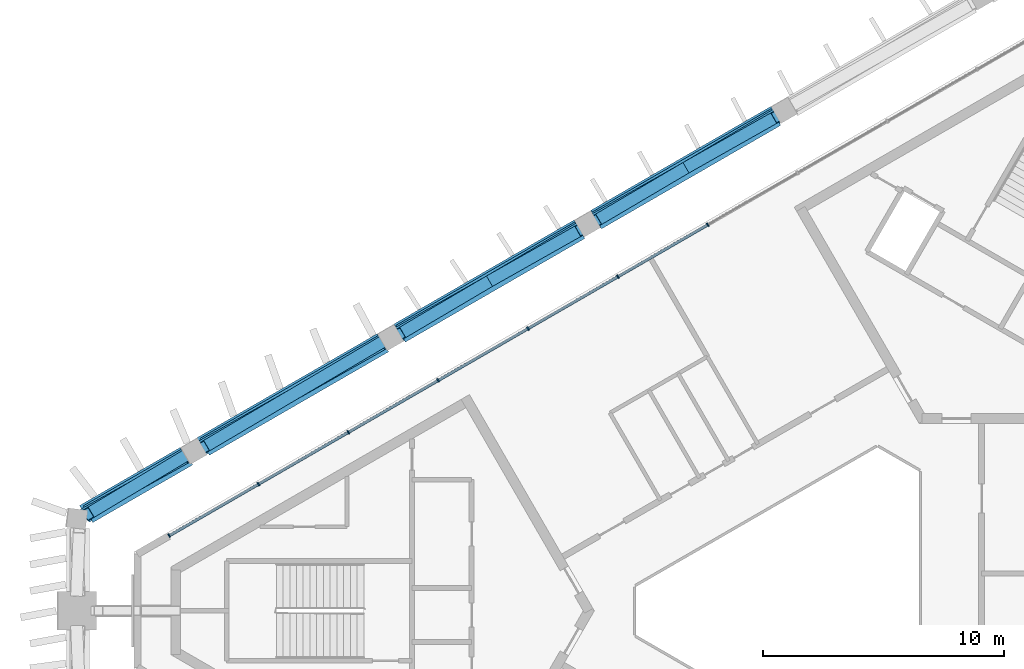
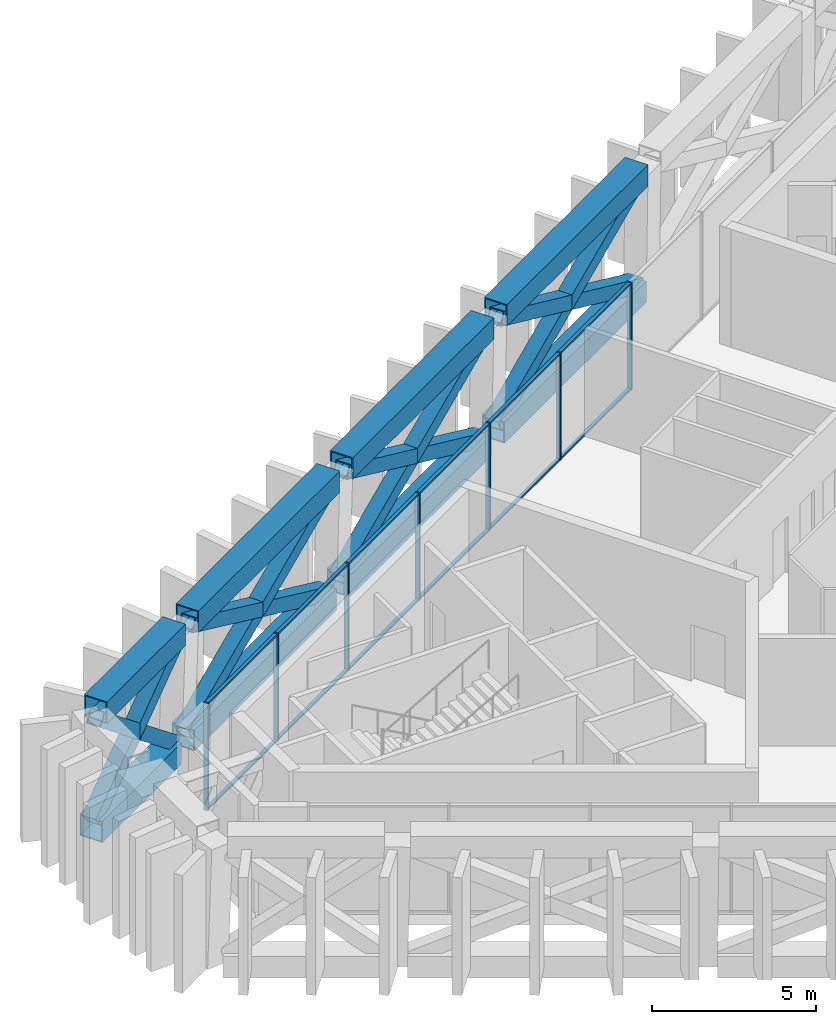
# One storey, part 5 of 12: 35 members, 1 element without a shape of its own.
"""IFC4 building model written with IfcOpenShell, lengths in metres."""

from ifc_helpers import new_model, si_unit, direction, frame, origin, origin_2d, place, context, subcontext, project, spatial, rectangle, hollow_rectangle, extrude, material, layer, layer_set, material_profile, profile_set, type_object, element, aggregate, save


model = new_model("IFC4")

# Units and contexts
model_context = context("Model", 3, precision=1e-05, world=origin(), true_north=direction((0.0, 1.0)))
body_context = subcontext(model_context, "Body", "Model", "MODEL_VIEW")
ifc_project = project(units=[si_unit("LENGTHUNIT", "METRE"), si_unit("AREAUNIT", "SQUARE_METRE"), si_unit("VOLUMEUNIT", "CUBIC_METRE"), si_unit("PLANEANGLEUNIT", "RADIAN"), si_unit("MASSUNIT", "GRAM", prefix="KILO")], contexts=[model_context])

# Site, building, storey
site_placement = place(None, origin())
site = spatial("IfcSite", under=ifc_project, at=site_placement, CompositionType="ELEMENT")
building_placement = place(site_placement, origin())
building = spatial("IfcBuilding", under=site, at=building_placement, Name="Jabali Bay Hotel Tower and Convention Centre", CompositionType="ELEMENT")
storey_placement = place(building_placement, frame((0.0, 0.0, 300.39990234375)))
storey = spatial("IfcBuildingStorey", under=building, at=storey_placement, Name="L74", CompositionType="ELEMENT", Elevation=300.39990234375)

# Members
ifc_material_1 = material(Name="Steel Q420GJC", Category="steel")
ifc_material_profile_1 = material_profile(ifc_material_1, hollow_rectangle(XDim=0.5, YDim=0.5, WallThickness=0.030029296875, at=origin_2d()), Name="Belt brace 500x500x30")
ifc_profile_set_1 = profile_set([ifc_material_profile_1], Name="Steel Q420GJC")
member_type_1 = type_object("IfcMemberType", Name="Belt brace 500x500x30", PredefinedType="BRACE", material=ifc_profile_set_1)
member_1_placement = place(storey_placement, frame((73.549560546875, 100.625, 0.186279296875), z_axis=(-0.780918679653, -0.460675538069, 0.421834166936), x_axis=(0.508094468676, -0.861301347323, 0.0)))
element("IfcMember", 1, at=member_1_placement, inside=storey, type_object=member_type_1, Name="Belt brace T6 F1.2-F1.3 x1", PredefinedType="BRACE", context=body_context, shape_type="SweptSolid", body=[
    extrude(hollow_rectangle(XDim=0.5, YDim=0.5, WallThickness=0.030029296875, at=origin_2d()), origin(), (0.0, 0.0, 1.0), 9.5478515625),
])
member_2_placement = place(storey_placement, frame((66.052734375, 96.296875, 0.187255859375), z_axis=(0.788746260354, 0.445501518858, 0.423565500806), x_axis=(-0.491796551535, 0.870710142297, 0.0)))
element("IfcMember", 2, at=member_2_placement, inside=storey, type_object=member_type_1, Name="Belt brace T6 F1.2-F1.3 x2", PredefinedType="BRACE", context=body_context, shape_type="SweptSolid", body=[
    extrude(hollow_rectangle(XDim=0.5, YDim=0.5, WallThickness=0.030029296875, at=origin_2d()), origin(), (0.0, 0.0, 1.0), 9.504638671875),
])
member_3_placement = place(storey_placement, frame((65.360107421875, 95.89697265625, 0.187255859375), z_axis=(-0.78019071297, -0.460321253939, 0.42356439247), x_axis=(0.50815601337, -0.861265038229, 0.0)))
element("IfcMember", 3, at=member_3_placement, inside=storey, type_object=member_type_1, Name="Belt brace T6 F1.3-F1.4 x1", PredefinedType="BRACE", context=body_context, shape_type="SweptSolid", body=[
    extrude(hollow_rectangle(XDim=0.5, YDim=0.5, WallThickness=0.030029296875, at=origin_2d()), origin(), (0.0, 0.0, 1.0), 9.5048828125),
])
member_4_placement = place(storey_placement, frame((57.863525390625, 91.56884765625, 0.186279296875), z_axis=(0.789425781404, 0.445931465467, 0.421843648478), x_axis=(-0.491835130566, 0.87068835087, 0.0)))
element("IfcMember", 4, at=member_4_placement, inside=storey, type_object=member_type_1, Name="Belt brace T6 F1.3-F1.4 x2", PredefinedType="BRACE", context=body_context, shape_type="SweptSolid", body=[
    extrude(hollow_rectangle(XDim=0.5, YDim=0.5, WallThickness=0.030029296875, at=origin_2d()), origin(), (0.0, 0.0, 1.0), 9.547607421875),
])
member_5_placement = place(storey_placement, frame((57.170654296875, 91.168701171875, 0.18798828125), z_axis=(-0.779461615758, -0.459930606789, 0.425327434454), x_axis=(0.508188410768, -0.86124592258, 0.0)))
element("IfcMember", 5, at=member_5_placement, inside=storey, type_object=member_type_1, Name="Belt brace T6 F1.4-F1.5 x1", PredefinedType="BRACE", context=body_context, shape_type="SweptSolid", body=[
    extrude(hollow_rectangle(XDim=0.5, YDim=0.5, WallThickness=0.030029296875, at=origin_2d()), origin(), (0.0, 0.0, 1.0), 9.46142578125),
])
member_6_placement = place(storey_placement, frame((49.674072265625, 86.840576171875, 0.185302734375), z_axis=(0.790089140846, 0.44637401894, 0.420130199738), x_axis=(-0.491891798651, 0.870656337724, 0.0)))
element("IfcMember", 6, at=member_6_placement, inside=storey, type_object=member_type_1, Name="Belt brace T6 F1.4-F1.5 x2", PredefinedType="BRACE", context=body_context, shape_type="SweptSolid", body=[
    extrude(hollow_rectangle(XDim=0.5, YDim=0.5, WallThickness=0.030029296875, at=origin_2d()), origin(), (0.0, 0.0, 1.0), 9.591064453125),
])
member_7_placement = place(storey_placement, frame((48.982666015625, 86.438232421875, 0.3203125), z_axis=(-0.669759415967, -0.40123892073, 0.624843703029), x_axis=(0.51391481489, -0.857841222509, 0.0)))
element("IfcMember", 7, at=member_7_placement, inside=storey, type_object=member_type_1, Name="Belt brace T6 F1.5-V3 x1", PredefinedType="BRACE", context=body_context, shape_type="SweptSolid", body=[
    extrude(hollow_rectangle(XDim=0.5, YDim=0.5, WallThickness=0.030029296875, at=origin_2d()), origin(), (0.0, 0.0, 1.0), 6.01708984375),
])
member_8_placement = place(storey_placement, frame((44.803955078125, 84.026123046875, 0.307861328125), z_axis=(0.692500702198, 0.385566139332, 0.609738902856), x_axis=(-0.486455968619, 0.873705093607, 0.0)))
element("IfcMember", 8, at=member_8_placement, inside=storey, type_object=member_type_1, Name="Belt brace T6 F1.5-V3 x2", PredefinedType="BRACE", context=body_context, shape_type="SweptSolid", body=[
    extrude(hollow_rectangle(XDim=0.5, YDim=0.5, WallThickness=0.030029296875, at=origin_2d()), origin(), (0.0, 0.0, 1.0), 6.20654296875),
])
ifc_material_profile_2 = material_profile(ifc_material_1, hollow_rectangle(XDim=0.800048828125, YDim=0.800048828125, WallThickness=0.0400390625, at=origin_2d()), Name="Belt chord 800x800x40")
ifc_profile_set_2 = profile_set([ifc_material_profile_2], Name="Steel Q420GJC")
member_type_2 = type_object("IfcMemberType", Name="Belt chord 800x800x40", PredefinedType="CHORD", material=ifc_profile_set_2)
for number, where, z_axis, x_axis, name in (
    (9, (73.547607421875, 100.62841796875, 0.0), (-0.866026837124, -0.499997517375, 0.0), (0.499997517375, -0.866026837124, 0.0), "Belt chord T6 F1.2-F1.3"),
    (10, (65.358154296875, 95.900146484375, 0.0), (-0.866026837124, -0.499997517375, 0.0), (0.499997517375, -0.866026837124, 0.0), "Belt chord T6 F1.3-F1.4"),
    (11, (57.168701171875, 91.172119140625, 0.0), (-0.866026837124, -0.499997517375, 0.0), (0.499997517375, -0.866026837124, 0.0), "Belt chord T6 F1.4-F1.5"),
):
    element("IfcMember", number, at=place(storey_placement, frame(where, z_axis=z_axis, x_axis=x_axis)), inside=storey, type_object=member_type_2, Name=name, PredefinedType="CHORD", context=body_context, shape_type="SweptSolid", body=[
        extrude(hollow_rectangle(XDim=0.800048828125, YDim=0.800048828125, WallThickness=0.0400390625, at=origin_2d()), origin(), (0.0, 0.0, 1.0), 8.65625),
    ])
member_9_placement = place(storey_placement, frame((48.979248046875, 86.44384765625, 0.0), z_axis=(-0.866033069333, -0.499986722646, 0.0), x_axis=(0.499986722646, -0.866033069333, 0.0)))
element("IfcMember", 12, at=member_9_placement, inside=storey, type_object=member_type_2, Name="Belt chord T6 F1.5-V3", PredefinedType="CHORD", context=body_context, shape_type="SweptSolid", body=[
    extrude(hollow_rectangle(XDim=0.800048828125, YDim=0.800048828125, WallThickness=0.0400390625, at=origin_2d()), origin(), (0.0, 0.0, 1.0), 4.824951171875),
])
for number, where, z_axis, x_axis, name in (
    (13, (73.55126953125, 100.528076171875, 4.400146484375), (-0.866021718376, -0.500006383261, 0.0), (0.500006383261, -0.866021718376, 0.0), "Belt chord T6 F1.2-F1.3"),
    (14, (65.402587890625, 95.8232421875, 4.400146484375), (-0.866028807769, -0.499994104079, 0.0), (0.499994104079, -0.866028807769, 0.0), "Belt chord T6 F1.3-F1.4"),
    (15, (57.253662109375, 91.11865234375, 4.400146484375), (-0.866021718376, -0.500006383261, 0.0), (0.500006383261, -0.866021718376, 0.0), "Belt chord T6 F1.4-F1.5"),
):
    element("IfcMember", number, at=place(storey_placement, frame(where, z_axis=z_axis, x_axis=x_axis)), inside=storey, type_object=member_type_2, Name=name, PredefinedType="CHORD", context=body_context, shape_type="SweptSolid", body=[
        extrude(hollow_rectangle(XDim=0.800048828125, YDim=0.800048828125, WallThickness=0.0400390625, at=origin_2d()), origin(), (0.0, 0.0, 1.0), 8.609375),
    ])
member_10_placement = place(storey_placement, frame((49.10498046875, 86.413818359375, 4.400146484375), z_axis=(-0.86602690036, -0.499997407846, 0.0), x_axis=(0.499997407846, -0.86602690036, 0.0)))
element("IfcMember", 16, at=member_10_placement, inside=storey, type_object=member_type_2, Name="Belt chord T6 F1.5-V3", PredefinedType="CHORD", context=body_context, shape_type="SweptSolid", body=[
    extrude(hollow_rectangle(XDim=0.800048828125, YDim=0.800048828125, WallThickness=0.0400390625, at=origin_2d()), origin(), (0.0, 0.0, 1.0), 4.791015625),
])

# Curtain wall, members
ifc_material_2 = material(Name="Aluminium and glass", Category="aluminium")
ifc_layer = layer(ifc_material_2, 0.159912109375)
ifc_layer_set = layer_set([ifc_layer], Name="Aluminium and glass")
curtain_wall_type = type_object("IfcCurtainWallType", Name="CW3 curtain wall", PredefinedType="NOTDEFINED", material=ifc_layer_set)
curtain_wall_placement = place(storey_placement, origin())
curtain_wall = element("IfcCurtainWall", 17, at=curtain_wall_placement, inside=storey, type_object=curtain_wall_type, Name="CW3 curtain wall north-west face L74", PredefinedType="NOTDEFINED")
ifc_material_3 = material(Name="Aluminium", Category="aluminium")
ifc_material_profile_3 = material_profile(ifc_material_3, rectangle(XDim=0.159912109375, YDim=0.06005859375, at=origin_2d()), Name="CW3 mullion 60 x 160")
ifc_profile_set_3 = profile_set([ifc_material_profile_3], Name="Aluminium")
member_type_3 = type_object("IfcMemberType", Name="CW3 mullion 60 x 160", PredefinedType="MULLION", material=ifc_profile_set_3)
member_11_placement = place(storey_placement, frame((48.329345703125, 83.124267578125, 0.0), z_axis=(0.0, 0.0, 1.0), x_axis=(-0.500000004882, 0.866025400966, 0.0)))
member_11 = element("IfcMember", 18, at=member_11_placement, type_object=member_type_3, Name="CW3 mullion 1", PredefinedType="MULLION", context=body_context, shape_type="SweptSolid", body=[
    extrude(rectangle(XDim=0.159912109375, YDim=0.06005859375, at=origin_2d()), origin(), (0.0, 0.0, 1.0), 4.0),
])
member_12_placement = place(storey_placement, frame((52.03857421875, 85.265625, 0.0), z_axis=(0.0, 0.0, 1.0), x_axis=(-0.500000004882, 0.866025400966, 0.0)))
member_12 = element("IfcMember", 19, at=member_12_placement, type_object=member_type_3, Name="CW3 mullion 2", PredefinedType="MULLION", context=body_context, shape_type="SweptSolid", body=[
    extrude(rectangle(XDim=0.159912109375, YDim=0.06005859375, at=origin_2d()), origin(), (0.0, 0.0, 1.0), 4.0),
])
member_13_placement = place(storey_placement, frame((55.77392578125, 87.42236328125, 0.0), z_axis=(0.0, 0.0, 1.0), x_axis=(-0.500000004882, 0.866025400966, 0.0)))
member_13 = element("IfcMember", 20, at=member_13_placement, type_object=member_type_3, Name="CW3 mullion 3", PredefinedType="MULLION", context=body_context, shape_type="SweptSolid", body=[
    extrude(rectangle(XDim=0.159912109375, YDim=0.06005859375, at=origin_2d()), origin(), (0.0, 0.0, 1.0), 4.0),
])
member_14_placement = place(storey_placement, frame((59.509033203125, 89.578857421875, 0.0), z_axis=(0.0, 0.0, 1.0), x_axis=(-0.500000004882, 0.866025400966, 0.0)))
member_14 = element("IfcMember", 21, at=member_14_placement, type_object=member_type_3, Name="CW3 mullion 4", PredefinedType="MULLION", context=body_context, shape_type="SweptSolid", body=[
    extrude(rectangle(XDim=0.159912109375, YDim=0.06005859375, at=origin_2d()), origin(), (0.0, 0.0, 1.0), 4.0),
])
member_15_placement = place(storey_placement, frame((63.244384765625, 91.7353515625, 0.0), z_axis=(0.0, 0.0, 1.0), x_axis=(-0.500000004882, 0.866025400966, 0.0)))
member_15 = element("IfcMember", 22, at=member_15_placement, type_object=member_type_3, Name="CW3 mullion 5", PredefinedType="MULLION", context=body_context, shape_type="SweptSolid", body=[
    extrude(rectangle(XDim=0.159912109375, YDim=0.06005859375, at=origin_2d()), origin(), (0.0, 0.0, 1.0), 4.0),
])
member_16_placement = place(storey_placement, frame((66.9794921875, 93.891845703125, 0.0), z_axis=(0.0, 0.0, 1.0), x_axis=(-0.500000004882, 0.866025400966, 0.0)))
member_16 = element("IfcMember", 23, at=member_16_placement, type_object=member_type_3, Name="CW3 mullion 6", PredefinedType="MULLION", context=body_context, shape_type="SweptSolid", body=[
    extrude(rectangle(XDim=0.159912109375, YDim=0.06005859375, at=origin_2d()), origin(), (0.0, 0.0, 1.0), 4.0),
])
member_17_placement = place(storey_placement, frame((70.71484375, 96.04833984375, 0.0), z_axis=(0.0, 0.0, 1.0), x_axis=(-0.500000004882, 0.866025400966, 0.0)))
member_17 = element("IfcMember", 24, at=member_17_placement, type_object=member_type_3, Name="CW3 mullion 7", PredefinedType="MULLION", context=body_context, shape_type="SweptSolid", body=[
    extrude(rectangle(XDim=0.159912109375, YDim=0.06005859375, at=origin_2d()), origin(), (0.0, 0.0, 1.0), 4.0),
])
ifc_material_profile_4 = material_profile(ifc_material_3, rectangle(XDim=0.1201171875, YDim=0.06005859375, at=origin_2d()), Name="CW3 transom 60 x 120")
ifc_profile_set_4 = profile_set([ifc_material_profile_4], Name="Aluminium")
member_type_4 = type_object("IfcMemberType", Name="CW3 transom 60 x 120", PredefinedType="USERDEFINED", material=ifc_profile_set_4)
member_18_placement = place(storey_placement, frame((48.35546875, 83.13916015625, 0.030029296875), z_axis=(0.866018069786, 0.500012702642, 0.0), x_axis=(-0.500012702642, 0.866018069786, 0.0)))
member_18 = element("IfcMember", 25, at=member_18_placement, type_object=member_type_4, Name="CW3 transom 1.1", ObjectType="TRANSOM", PredefinedType="USERDEFINED", context=body_context, shape_type="SweptSolid", body=[
    extrude(rectangle(XDim=0.1201171875, YDim=0.06005859375, at=origin_2d()), origin(), (0.0, 0.0, 1.0), 4.22314453125),
])
member_19_placement = place(storey_placement, frame((48.35546875, 83.13916015625, 3.97021484375), z_axis=(0.866018069786, 0.500012702642, 0.0), x_axis=(-0.500012702642, 0.866018069786, 0.0)))
member_19 = element("IfcMember", 26, at=member_19_placement, type_object=member_type_4, Name="CW3 transom 1.2", ObjectType="TRANSOM", PredefinedType="USERDEFINED", context=body_context, shape_type="SweptSolid", body=[
    extrude(rectangle(XDim=0.1201171875, YDim=0.06005859375, at=origin_2d()), origin(), (0.0, 0.0, 1.0), 4.22314453125),
])
member_20_placement = place(storey_placement, frame((52.064697265625, 85.28076171875, 0.030029296875), z_axis=(0.86602307118, 0.500004040168, 0.0), x_axis=(-0.500004040168, 0.86602307118, 0.0)))
member_20 = element("IfcMember", 27, at=member_20_placement, type_object=member_type_4, Name="CW3 transom 2.1", ObjectType="TRANSOM", PredefinedType="USERDEFINED", context=body_context, shape_type="SweptSolid", body=[
    extrude(rectangle(XDim=0.1201171875, YDim=0.06005859375, at=origin_2d()), origin(), (0.0, 0.0, 1.0), 4.2529296875),
])
member_21_placement = place(storey_placement, frame((52.064697265625, 85.28076171875, 3.97021484375), z_axis=(0.86602307118, 0.500004040168, 0.0), x_axis=(-0.500004040168, 0.86602307118, 0.0)))
member_21 = element("IfcMember", 28, at=member_21_placement, type_object=member_type_4, Name="CW3 transom 2.2", ObjectType="TRANSOM", PredefinedType="USERDEFINED", context=body_context, shape_type="SweptSolid", body=[
    extrude(rectangle(XDim=0.1201171875, YDim=0.06005859375, at=origin_2d()), origin(), (0.0, 0.0, 1.0), 4.2529296875),
])
member_22_placement = place(storey_placement, frame((55.7998046875, 87.437255859375, 0.030029296875), z_axis=(0.866037421778, 0.499979183647, 0.0), x_axis=(-0.499979183647, 0.866037421778, 0.0)))
member_22 = element("IfcMember", 29, at=member_22_placement, type_object=member_type_4, Name="CW3 transom 3.1", ObjectType="TRANSOM", PredefinedType="USERDEFINED", context=body_context, shape_type="SweptSolid", body=[
    extrude(rectangle(XDim=0.1201171875, YDim=0.06005859375, at=origin_2d()), origin(), (0.0, 0.0, 1.0), 4.253173828125),
])
member_23_placement = place(storey_placement, frame((55.7998046875, 87.437255859375, 3.97021484375), z_axis=(0.866037421778, 0.499979183647, 0.0), x_axis=(-0.499979183647, 0.866037421778, 0.0)))
member_23 = element("IfcMember", 30, at=member_23_placement, type_object=member_type_4, Name="CW3 transom 3.2", ObjectType="TRANSOM", PredefinedType="USERDEFINED", context=body_context, shape_type="SweptSolid", body=[
    extrude(rectangle(XDim=0.1201171875, YDim=0.06005859375, at=origin_2d()), origin(), (0.0, 0.0, 1.0), 4.253173828125),
])
member_24_placement = place(storey_placement, frame((59.53515625, 89.59375, 0.030029296875), z_axis=(0.86602307118, 0.500004040168, 0.0), x_axis=(-0.500004040168, 0.86602307118, 0.0)))
member_24 = element("IfcMember", 31, at=member_24_placement, type_object=member_type_4, Name="CW3 transom 4.1", ObjectType="TRANSOM", PredefinedType="USERDEFINED", context=body_context, shape_type="SweptSolid", body=[
    extrude(rectangle(XDim=0.1201171875, YDim=0.06005859375, at=origin_2d()), origin(), (0.0, 0.0, 1.0), 4.2529296875),
])
member_25_placement = place(storey_placement, frame((59.53515625, 89.59375, 3.97021484375), z_axis=(0.86602307118, 0.500004040168, 0.0), x_axis=(-0.500004040168, 0.86602307118, 0.0)))
member_25 = element("IfcMember", 32, at=member_25_placement, type_object=member_type_4, Name="CW3 transom 4.2", ObjectType="TRANSOM", PredefinedType="USERDEFINED", context=body_context, shape_type="SweptSolid", body=[
    extrude(rectangle(XDim=0.1201171875, YDim=0.06005859375, at=origin_2d()), origin(), (0.0, 0.0, 1.0), 4.2529296875),
])
member_26_placement = place(storey_placement, frame((63.270263671875, 91.750244140625, 0.030029296875), z_axis=(0.86601256593, 0.500022235157, 0.0), x_axis=(-0.500022235157, 0.86601256593, 0.0)))
member_26 = element("IfcMember", 33, at=member_26_placement, type_object=member_type_4, Name="CW3 transom 5.1", ObjectType="TRANSOM", PredefinedType="USERDEFINED", context=body_context, shape_type="SweptSolid", body=[
    extrude(rectangle(XDim=0.1201171875, YDim=0.06005859375, at=origin_2d()), origin(), (0.0, 0.0, 1.0), 4.253173828125),
])
member_27_placement = place(storey_placement, frame((63.270263671875, 91.750244140625, 3.97021484375), z_axis=(0.86601256593, 0.500022235157, 0.0), x_axis=(-0.500022235157, 0.86601256593, 0.0)))
member_27 = element("IfcMember", 34, at=member_27_placement, type_object=member_type_4, Name="CW3 transom 5.2", ObjectType="TRANSOM", PredefinedType="USERDEFINED", context=body_context, shape_type="SweptSolid", body=[
    extrude(rectangle(XDim=0.1201171875, YDim=0.06005859375, at=origin_2d()), origin(), (0.0, 0.0, 1.0), 4.253173828125),
])
member_28_placement = place(storey_placement, frame((67.005615234375, 93.90673828125, 0.030029296875), z_axis=(0.865998213272, 0.500047092391, 0.0), x_axis=(-0.500047092391, 0.865998213272, 0.0)))
member_28 = element("IfcMember", 35, at=member_28_placement, type_object=member_type_4, Name="CW3 transom 6.1", ObjectType="TRANSOM", PredefinedType="USERDEFINED", context=body_context, shape_type="SweptSolid", body=[
    extrude(rectangle(XDim=0.1201171875, YDim=0.06005859375, at=origin_2d()), origin(), (0.0, 0.0, 1.0), 4.2529296875),
])
member_29_placement = place(storey_placement, frame((67.005615234375, 93.90673828125, 3.97021484375), z_axis=(0.865998213272, 0.500047092391, 0.0), x_axis=(-0.500047092391, 0.865998213272, 0.0)))
member_29 = element("IfcMember", 36, at=member_29_placement, type_object=member_type_4, Name="CW3 transom 6.2", ObjectType="TRANSOM", PredefinedType="USERDEFINED", context=body_context, shape_type="SweptSolid", body=[
    extrude(rectangle(XDim=0.1201171875, YDim=0.06005859375, at=origin_2d()), origin(), (0.0, 0.0, 1.0), 4.2529296875),
])
aggregate(curtain_wall, [member_11, member_12, member_13, member_14, member_15, member_16, member_17, member_18, member_19, member_20, member_21, member_22, member_23, member_24, member_25, member_26, member_27, member_28, member_29])

save(model, "model.ifc")
